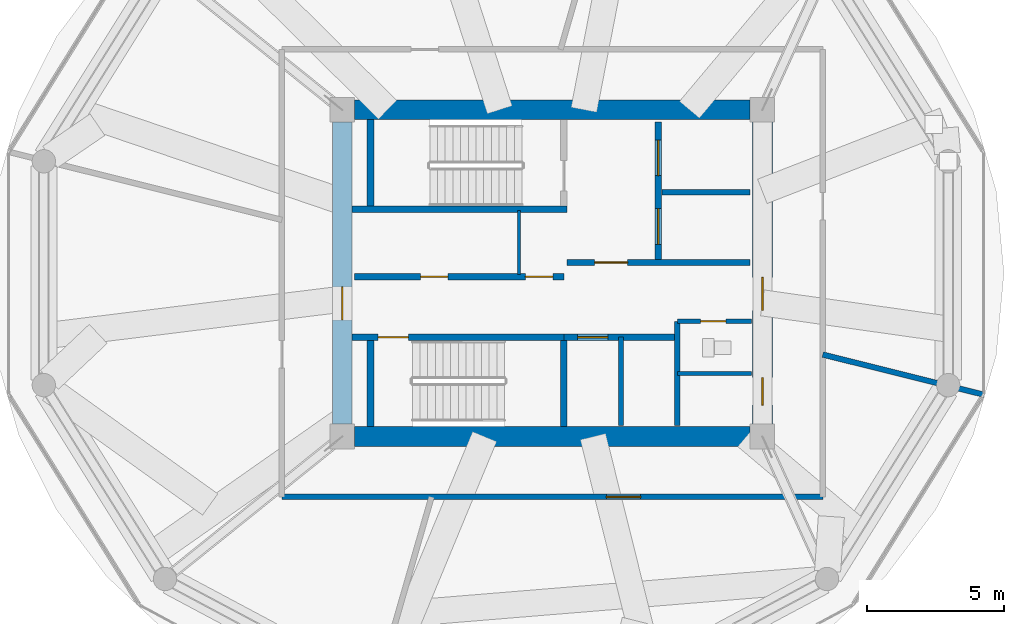
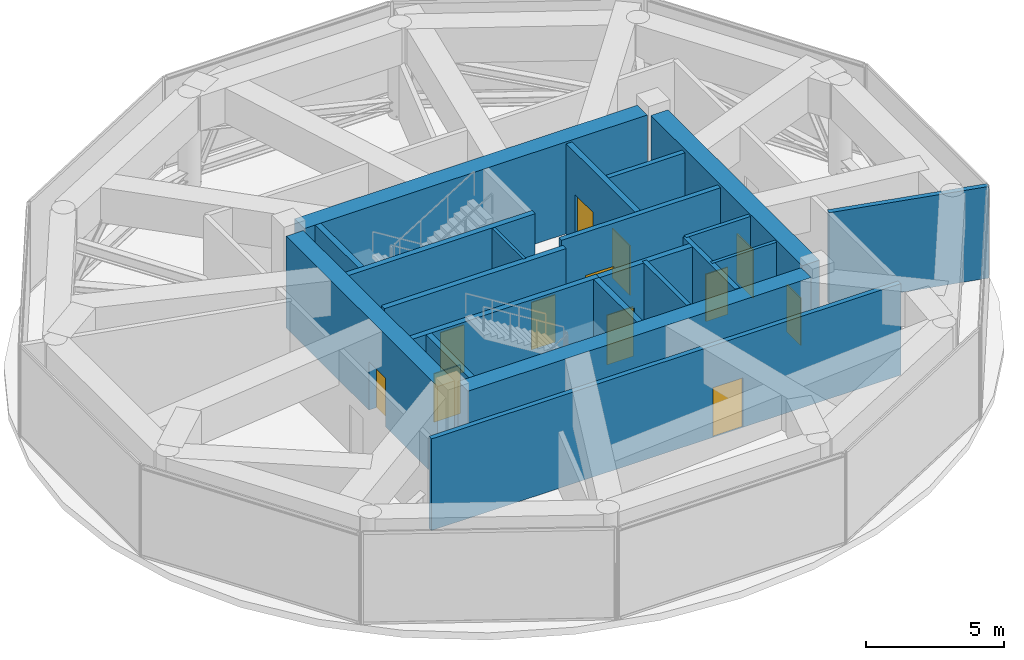
# One storey, part 18 of 23: 21 walls, 12 doors, 12 openings.
"""IFC4 building model written with IfcOpenShell, lengths in metres."""

from ifc_helpers import new_model, si_unit, direction, frame, frame_2d, origin, place, context, subcontext, project, spatial, rectangle, extrude, source, transform, mapped, material, layer, layer_set, type_object, type_shapes, element, fill, save


model = new_model("IFC4")

# Units and contexts
model_context = context("Model", 3, precision=1e-05, world=origin(), true_north=direction((0.0, 1.0)))
body_context = subcontext(model_context, "Body", "Model", "MODEL_VIEW")
ifc_project = project(units=[si_unit("LENGTHUNIT", "METRE"), si_unit("AREAUNIT", "SQUARE_METRE"), si_unit("VOLUMEUNIT", "CUBIC_METRE"), si_unit("PLANEANGLEUNIT", "RADIAN"), si_unit("MASSUNIT", "GRAM", prefix="KILO")], contexts=[model_context])

# Site, building, storey
site_placement = place(None, origin())
site = spatial("IfcSite", under=ifc_project, at=site_placement, CompositionType="ELEMENT")
building_placement = place(site_placement, origin())
building = spatial("IfcBuilding", under=site, at=building_placement, Name="Norrkilde Senior Care Towers", CompositionType="ELEMENT")
storey_placement = place(building_placement, frame((0.0, 0.0, 129.800048828125)))
storey = spatial("IfcBuildingStorey", under=building, at=storey_placement, Name="L40", CompositionType="ELEMENT", Elevation=129.800048828125)

# Walls
ifc_material_1 = material(Name="Concrete C60/75", Category="concrete")
ifc_layer_1 = layer(ifc_material_1, 0.719970703125)
ifc_layer_set_1 = layer_set([ifc_layer_1], Name="Concrete C60/75")
wall_type_1 = type_object("IfcWallType", Name="Core Shear Wall Z2 720", PredefinedType="SHEAR", material=ifc_layer_set_1)
shared_shape_1 = source(origin(), body_context, "Body", "SweptSolid", [
    extrude(rectangle(XDim=14.39990234375, YDim=0.719970703125, at=frame_2d((7.199951171875, 0.0))), origin(), (0.0, 0.0, 1.0), 4.079833984375),
])
for number, where, z_axis, x_axis, name in (
    (1, (20.800048828125, 5.949951171875, 0.0), (0.0, 0.0, 1.0), (1.0, 0.0, 0.0), "L40 Core E North Shear Wall"),
    (2, (35.199951171875, -5.949951171875, 0.0), (0.0, 0.0, 1.0), (-1.0, 0.0, 0.0), "L40 Core E South Shear Wall"),
):
    element("IfcWall", number, at=place(storey_placement, frame(where, z_axis=z_axis, x_axis=x_axis)), inside=storey, type_object=wall_type_1, Name=name, PredefinedType="SHEAR", context=body_context, shape_type="MappedRepresentation", body=[
        mapped(shared_shape_1, transform((0.0, 0.0, 0.0), x_axis=(1.0, 0.0, 0.0), y_axis=(0.0, 1.0, 0.0), z_axis=(0.0, 0.0, 1.0), scale=1.0)),
    ])

# Wall, opening, door
shared_shape_2 = source(origin(), body_context, "Body", "SweptSolid", [
    extrude(rectangle(XDim=11.0, YDim=0.719970703125, at=frame_2d((5.5, 0.0))), origin(), (0.0, 0.0, 1.0), 4.079833984375),
])
type_shapes(wall_type_1, [shared_shape_1, shared_shape_2])
wall_1_placement = place(storey_placement, frame((20.35009765625, -5.5, 0.0), z_axis=(0.0, 0.0, 1.0), x_axis=(0.0, 1.0, 0.0)))
wall_1 = element("IfcWall", 3, at=wall_1_placement, inside=storey, type_object=wall_type_1, Name="L40 Core E West Shear Wall", PredefinedType="SHEAR", context=body_context, shape_type="MappedRepresentation", body=[
    mapped(shared_shape_2, transform((0.0, 0.0, 0.0), x_axis=(1.0, 0.0, 0.0), y_axis=(0.0, 1.0, 0.0), z_axis=(0.0, 0.0, 1.0), scale=1.0)),
])
opening_1_placement = place(wall_1_placement, frame((3.800048828125, 0.0, 0.0)))
opening_1 = element("IfcOpeningElement", 4, at=opening_1_placement, cuts=wall_1, Name="Opening D-04", PredefinedType="OPENING", context=body_context, shape_type="SweptSolid", body=[
    extrude(rectangle(XDim=1.199951171875, YDim=2.14990234375, at=frame_2d((0.60009765625, 1.074951171875))), frame((0.0, 0.369873046875, 0.0), z_axis=(0.0, -1.0, 0.0), x_axis=(1.0, 0.0, 0.0)), (0.0, 0.0, 1.0), 0.739990234375),
])
ifc_material_2 = material(Name="Galvanised Painted Steel", Category="steel")
door_type_1 = type_object("IfcDoorType", Name="Firefighting Lobby Fire Door 1200x2150", OperationType="NOTDEFINED", PredefinedType="DOOR", material=ifc_material_2)
shared_shape_3 = source(origin(), body_context, "Body", "SweptSolid", [
    extrude(rectangle(XDim=1.199951171875, YDim=2.14990234375, at=frame_2d((0.60009765625, 1.074951171875))), frame((0.0, 0.02490234375, 0.0), z_axis=(0.0, -1.0, 0.0), x_axis=(1.0, 0.0, 0.0)), (0.0, 0.0, 1.0), 0.050048828125),
])
type_shapes(door_type_1, [shared_shape_3])
door_1_placement = place(opening_1_placement, frame((1.199951171875, 0.0, 0.0), z_axis=(0.0, 0.0, 1.0), x_axis=(-1.0, 0.0, 0.0)))
door_1 = element("IfcDoor", 5, at=door_1_placement, inside=storey, type_object=door_type_1, Name="L40 Core E West Portal Door", OperationType="SINGLE_SWING_LEFT", OverallHeight=2.14990234375, OverallWidth=1.199951171875, PredefinedType="DOOR", context=body_context, shape_type="MappedRepresentation", body=[
    mapped(shared_shape_3, transform((0.0, 0.0, 0.0), x_axis=(1.0, 0.0, 0.0), y_axis=(0.0, 1.0, 0.0), z_axis=(0.0, 0.0, 1.0), scale=1.0)),
])
fill(opening_1, door_1)

# Wall, openings, doors
wall_2_placement = place(storey_placement, frame((35.64990234375, 5.5, 0.0), z_axis=(0.0, 0.0, 1.0), x_axis=(0.0, -1.0, 0.0)))
wall_2 = element("IfcWall", 6, at=wall_2_placement, inside=storey, type_object=wall_type_1, Name="L40 Core E East Shear Wall", PredefinedType="SHEAR", context=body_context, shape_type="MappedRepresentation", body=[
    mapped(shared_shape_2, transform((0.0, 0.0, 0.0), x_axis=(1.0, 0.0, 0.0), y_axis=(0.0, 1.0, 0.0), z_axis=(0.0, 0.0, 1.0), scale=1.0)),
])
opening_2_placement = place(wall_2_placement, frame((5.64990234375, 0.0, 0.0)))
opening_2 = element("IfcOpeningElement", 7, at=opening_2_placement, cuts=wall_2, Name="Opening D-04", PredefinedType="OPENING", context=body_context, shape_type="SweptSolid", body=[
    extrude(rectangle(XDim=1.199951171875, YDim=2.14990234375, at=frame_2d((0.60009765625, 1.074951171875))), frame((0.0, 0.369873046875, 0.0), z_axis=(0.0, -1.0, 0.0), x_axis=(1.0, 0.0, 0.0)), (0.0, 0.0, 1.0), 0.739990234375),
])
opening_3_placement = place(wall_2_placement, frame((9.300048828125, 0.0, 0.0)))
opening_3 = element("IfcOpeningElement", 8, at=opening_3_placement, cuts=wall_2, Name="Opening D-10", PredefinedType="OPENING", context=body_context, shape_type="SweptSolid", body=[
    extrude(rectangle(XDim=1.0, YDim=2.10009765625, at=frame_2d((0.5, 1.050048828125))), frame((0.0, 0.369873046875, 0.0), z_axis=(0.0, -1.0, 0.0), x_axis=(1.0, 0.0, 0.0)), (0.0, 0.0, 1.0), 0.739990234375),
])
door_2_placement = place(opening_2_placement, frame((1.199951171875, 0.0, 0.0), z_axis=(0.0, 0.0, 1.0), x_axis=(-1.0, 0.0, 0.0)))
door_2 = element("IfcDoor", 9, at=door_2_placement, inside=storey, type_object=door_type_1, Name="L40 Core E East Portal Door", OperationType="SINGLE_SWING_RIGHT", OverallHeight=2.14990234375, OverallWidth=1.199951171875, PredefinedType="DOOR", context=body_context, shape_type="MappedRepresentation", body=[
    mapped(shared_shape_3, transform((0.0, 0.0, 0.0), x_axis=(1.0, 0.0, 0.0), y_axis=(0.0, 1.0, 0.0), z_axis=(0.0, 0.0, 1.0), scale=1.0)),
])
fill(opening_2, door_2)
door_type_2 = type_object("IfcDoorType", Name="Plant and Riser Rated Door 1000x2100", OperationType="NOTDEFINED", PredefinedType="DOOR", material=ifc_material_2)
shared_shape_4 = source(origin(), body_context, "Body", "SweptSolid", [
    extrude(rectangle(XDim=1.0, YDim=2.10009765625, at=frame_2d((0.5, 1.050048828125))), frame((0.0, 0.02490234375, 0.0), z_axis=(0.0, -1.0, 0.0), x_axis=(1.0, 0.0, 0.0)), (0.0, 0.0, 1.0), 0.050048828125),
])
type_shapes(door_type_2, [shared_shape_4])
door_3_placement = place(opening_3_placement, frame((1.0, 0.0, 0.0), z_axis=(0.0, 0.0, 1.0), x_axis=(-1.0, 0.0, 0.0)))
door_3 = element("IfcDoor", 10, at=door_3_placement, inside=storey, type_object=door_type_2, Name="L40 Ventilation Riser E Door", OperationType="SINGLE_SWING_RIGHT", OverallHeight=2.10009765625, OverallWidth=1.0, PredefinedType="DOOR", context=body_context, shape_type="MappedRepresentation", body=[
    mapped(shared_shape_4, transform((0.0, 0.0, 0.0), x_axis=(1.0, 0.0, 0.0), y_axis=(0.0, 1.0, 0.0), z_axis=(0.0, 0.0, 1.0), scale=1.0)),
])
fill(opening_3, door_3)

ifc_material_3 = material(Name="Concrete C45/55", Category="concrete")
ifc_layer_2 = layer(ifc_material_3, 0.239990234375)
ifc_layer_set_2 = layer_set([ifc_layer_2], Name="Concrete C45/55")
wall_type_2 = type_object("IfcWallType", Name="Lift and Plant Rated Enclosure Partition 240", PredefinedType="PARTITIONING", material=ifc_layer_set_2)
shared_shape_5 = source(origin(), body_context, "Body", "SweptSolid", [
    extrude(rectangle(XDim=5.0, YDim=0.239990234375, at=frame_2d((2.5, 0.0))), origin(), (0.0, 0.0, 1.0), 4.06494140625),
])
wall_3_placement = place(storey_placement, frame((31.860107421875, 0.5, 0.0), z_axis=(0.0, 0.0, 1.0), x_axis=(0.0, 1.0, 0.0)))
wall_3 = element("IfcWall", 11, at=wall_3_placement, inside=storey, type_object=wall_type_2, Name="WL-INT-L40-E-FFLE", PredefinedType="PARTITIONING", context=body_context, shape_type="MappedRepresentation", body=[
    mapped(shared_shape_5, transform((0.0, 0.0, 0.0), x_axis=(1.0, 0.0, 0.0), y_axis=(0.0, 1.0, 0.0), z_axis=(0.0, 0.0, 1.0), scale=1.0)),
])
opening_4_placement = place(wall_3_placement, frame((3.050048828125, 0.0, 0.0)))
opening_4 = element("IfcOpeningElement", 12, at=opening_4_placement, cuts=wall_3, Name="Opening LD-02", PredefinedType="OPENING", context=body_context, shape_type="SweptSolid", body=[
    extrude(rectangle(XDim=1.300048828125, YDim=2.199951171875, at=frame_2d((0.64990234375, 1.10009765625))), frame((0.0, 0.1298828125, 0.0), z_axis=(0.0, -1.0, 0.0), x_axis=(1.0, 0.0, 0.0)), (0.0, 0.0, 1.0), 0.260009765625),
])
opening_5_placement = place(wall_3_placement, frame((0.550048828125, 0.0, 0.0)))
opening_5 = element("IfcOpeningElement", 13, at=opening_5_placement, cuts=wall_3, Name="Opening LD-02", PredefinedType="OPENING", context=body_context, shape_type="SweptSolid", body=[
    extrude(rectangle(XDim=1.300048828125, YDim=2.199951171875, at=frame_2d((0.64990234375, 1.10009765625))), frame((0.0, 0.1298828125, 0.0), z_axis=(0.0, -1.0, 0.0), x_axis=(1.0, 0.0, 0.0)), (0.0, 0.0, 1.0), 0.260009765625),
])
ifc_material_4 = material(Name="Stainless Steel", Category="steel")
door_type_3 = type_object("IfcDoorType", Name="Stretcher and FFL Landing Sliding Door 1300x2200", OperationType="NOTDEFINED", PredefinedType="DOOR", material=ifc_material_4)
shared_shape_6 = source(origin(), body_context, "Body", "SweptSolid", [
    extrude(rectangle(XDim=1.300048828125, YDim=2.199951171875, at=frame_2d((0.64990234375, 1.10009765625))), frame((0.0, 0.02490234375, 0.0), z_axis=(0.0, -1.0, 0.0), x_axis=(1.0, 0.0, 0.0)), (0.0, 0.0, 1.0), 0.050048828125),
])
type_shapes(door_type_3, [shared_shape_6])
door_4_placement = place(opening_4_placement, origin())
door_4 = element("IfcDoor", 14, at=door_4_placement, inside=storey, type_object=door_type_3, Name="L40 Firefighting Lift E1 Landing Door", OperationType="SLIDING_TO_LEFT", OverallHeight=2.199951171875, OverallWidth=1.300048828125, PredefinedType="DOOR", context=body_context, shape_type="MappedRepresentation", body=[
    mapped(shared_shape_6, transform((0.0, 0.0, 0.0), x_axis=(1.0, 0.0, 0.0), y_axis=(0.0, 1.0, 0.0), z_axis=(0.0, 0.0, 1.0), scale=1.0)),
])
fill(opening_4, door_4)
door_5_placement = place(opening_5_placement, origin())
door_5 = element("IfcDoor", 15, at=door_5_placement, inside=storey, type_object=door_type_3, Name="L40 Stretcher Lift E1 Landing Door", OperationType="SLIDING_TO_RIGHT", OverallHeight=2.199951171875, OverallWidth=1.300048828125, PredefinedType="DOOR", context=body_context, shape_type="MappedRepresentation", body=[
    mapped(shared_shape_6, transform((0.0, 0.0, 0.0), x_axis=(1.0, 0.0, 0.0), y_axis=(0.0, 1.0, 0.0), z_axis=(0.0, 0.0, 1.0), scale=1.0)),
])
fill(opening_5, door_5)

# Wall
ifc_layer_3 = layer(ifc_material_3, 0.199951171875)
ifc_layer_set_3 = layer_set([ifc_layer_3], Name="Concrete C45/55")
wall_type_3 = type_object("IfcWallType", Name="Shaft Division and Plant Partition 200", PredefinedType="PARTITIONING", material=ifc_layer_set_3)
shared_shape_7 = source(origin(), body_context, "Body", "SweptSolid", [
    extrude(rectangle(XDim=3.199951171875, YDim=0.199951171875, at=frame_2d((1.60009765625, 0.0))), origin(), (0.0, 0.0, 1.0), 4.06494140625),
])
wall_4_placement = place(storey_placement, frame((32.0, 2.949951171875, 0.0), z_axis=(0.0, 0.0, 1.0), x_axis=(1.0, 0.0, 0.0)))
element("IfcWall", 16, at=wall_4_placement, inside=storey, type_object=wall_type_3, Name="WL-INT-L40-E-FFLDIV", PredefinedType="PARTITIONING", context=body_context, shape_type="MappedRepresentation", body=[
    mapped(shared_shape_7, transform((0.0, 0.0, 0.0), x_axis=(1.0, 0.0, 0.0), y_axis=(0.0, 1.0, 0.0), z_axis=(0.0, 0.0, 1.0), scale=1.0)),
])

# Wall, opening, door
ifc_layer_4 = layer(ifc_material_3, 0.2099609375)
ifc_layer_set_4 = layer_set([ifc_layer_4], Name="Concrete C45/55")
wall_type_4 = type_object("IfcWallType", Name="Firefighting Lobby Wall 210", PredefinedType="PARTITIONING", material=ifc_layer_set_4)
shared_shape_8 = source(origin(), body_context, "Body", "SweptSolid", [
    extrude(rectangle(XDim=6.659912109375, YDim=0.2099609375, at=frame_2d((3.330078125, 0.0))), origin(), (0.0, 0.0, 1.0), 4.06494140625),
])
type_shapes(wall_type_4, [shared_shape_8])
wall_5_placement = place(storey_placement, frame((28.5400390625, 0.389892578125, 0.0), z_axis=(0.0, 0.0, 1.0), x_axis=(1.0, 0.0, 0.0)))
wall_5 = element("IfcWall", 17, at=wall_5_placement, inside=storey, type_object=wall_type_4, Name="WL-INT-L40-E-FFLS", PredefinedType="PARTITIONING", context=body_context, shape_type="MappedRepresentation", body=[
    mapped(shared_shape_8, transform((0.0, 0.0, 0.0), x_axis=(1.0, 0.0, 0.0), y_axis=(0.0, 1.0, 0.0), z_axis=(0.0, 0.0, 1.0), scale=1.0)),
])
opening_6_placement = place(wall_5_placement, frame((1.0, 0.0, 0.0)))
opening_6 = element("IfcOpeningElement", 18, at=opening_6_placement, cuts=wall_5, Name="Opening D-04", PredefinedType="OPENING", context=body_context, shape_type="SweptSolid", body=[
    extrude(rectangle(XDim=1.199951171875, YDim=2.14990234375, at=frame_2d((0.60009765625, 1.074951171875))), frame((0.0, 0.114990234375, 0.0), z_axis=(0.0, -1.0, 0.0), x_axis=(1.0, 0.0, 0.0)), (0.0, 0.0, 1.0), 0.22998046875),
])
door_6_placement = place(opening_6_placement, frame((1.199951171875, 0.0, 0.0), z_axis=(0.0, 0.0, 1.0), x_axis=(-1.0, 0.0, 0.0)))
door_6 = element("IfcDoor", 19, at=door_6_placement, inside=storey, type_object=door_type_1, Name="L40 Firefighting Lobby E Door", OperationType="SINGLE_SWING_LEFT", OverallHeight=2.14990234375, OverallWidth=1.199951171875, PredefinedType="DOOR", context=body_context, shape_type="MappedRepresentation", body=[
    mapped(shared_shape_3, transform((0.0, 0.0, 0.0), x_axis=(1.0, 0.0, 0.0), y_axis=(0.0, 1.0, 0.0), z_axis=(0.0, 0.0, 1.0), scale=1.0)),
])
fill(opening_6, door_6)

# Wall, openings, doors
shared_shape_9 = source(origin(), body_context, "Body", "SweptSolid", [
    extrude(rectangle(XDim=7.619873046875, YDim=0.239990234375, at=frame_2d((3.81005859375, 0.0))), origin(), (0.0, 0.0, 1.0), 4.06494140625),
])
wall_6_placement = place(storey_placement, frame((20.800048828125, -0.1298828125, 0.0), z_axis=(0.0, 0.0, 1.0), x_axis=(1.0, 0.0, 0.0)))
wall_6 = element("IfcWall", 20, at=wall_6_placement, inside=storey, type_object=wall_type_2, Name="WL-INT-L40-E-PKAS", PredefinedType="PARTITIONING", context=body_context, shape_type="MappedRepresentation", body=[
    mapped(shared_shape_9, transform((0.0, 0.0, 0.0), x_axis=(1.0, 0.0, 0.0), y_axis=(0.0, 1.0, 0.0), z_axis=(0.0, 0.0, 1.0), scale=1.0)),
])
opening_7_placement = place(wall_6_placement, frame((6.219970703125, 0.0, 0.0)))
opening_7 = element("IfcOpeningElement", 21, at=opening_7_placement, cuts=wall_6, Name="Opening D-10", PredefinedType="OPENING", context=body_context, shape_type="SweptSolid", body=[
    extrude(rectangle(XDim=1.0, YDim=2.10009765625, at=frame_2d((0.5, 1.050048828125))), frame((0.0, 0.1298828125, 0.0), z_axis=(0.0, -1.0, 0.0), x_axis=(1.0, 0.0, 0.0)), (0.0, 0.0, 1.0), 0.260009765625),
])
opening_8_placement = place(wall_6_placement, frame((2.39990234375, 0.0, 0.0)))
opening_8 = element("IfcOpeningElement", 22, at=opening_8_placement, cuts=wall_6, Name="Opening D-10", PredefinedType="OPENING", context=body_context, shape_type="SweptSolid", body=[
    extrude(rectangle(XDim=1.0, YDim=2.10009765625, at=frame_2d((0.5, 1.050048828125))), frame((0.0, 0.1298828125, 0.0), z_axis=(0.0, -1.0, 0.0), x_axis=(1.0, 0.0, 0.0)), (0.0, 0.0, 1.0), 0.260009765625),
])
door_7_placement = place(opening_7_placement, frame((1.0, 0.0, 0.0), z_axis=(0.0, 0.0, 1.0), x_axis=(-1.0, 0.0, 0.0)))
door_7 = element("IfcDoor", 23, at=door_7_placement, inside=storey, type_object=door_type_2, Name="L40 Electrical Riser E Door", OperationType="SINGLE_SWING_LEFT", OverallHeight=2.10009765625, OverallWidth=1.0, PredefinedType="DOOR", context=body_context, shape_type="MappedRepresentation", body=[
    mapped(shared_shape_4, transform((0.0, 0.0, 0.0), x_axis=(1.0, 0.0, 0.0), y_axis=(0.0, 1.0, 0.0), z_axis=(0.0, 0.0, 1.0), scale=1.0)),
])
fill(opening_7, door_7)
door_8_placement = place(opening_8_placement, frame((1.0, 0.0, 0.0), z_axis=(0.0, 0.0, 1.0), x_axis=(-1.0, 0.0, 0.0)))
door_8 = element("IfcDoor", 24, at=door_8_placement, inside=storey, type_object=door_type_2, Name="L40 Clean Supply Store E Door", OperationType="SINGLE_SWING_LEFT", OverallHeight=2.10009765625, OverallWidth=1.0, PredefinedType="DOOR", context=body_context, shape_type="MappedRepresentation", body=[
    mapped(shared_shape_4, transform((0.0, 0.0, 0.0), x_axis=(1.0, 0.0, 0.0), y_axis=(0.0, 1.0, 0.0), z_axis=(0.0, 0.0, 1.0), scale=1.0)),
])
fill(opening_8, door_8)

# Walls
ifc_material_5 = material(Name="Gypsum Acoustic Board")
ifc_layer_5 = layer(ifc_material_5, 0.114990234375)
ifc_layer_set_5 = layer_set([ifc_layer_5], Name="Gypsum Acoustic Board")
wall_type_5 = type_object("IfcWallType", Name="Internal Room Partition 115", PredefinedType="PARTITIONING", material=ifc_layer_set_5)
shared_shape_10 = source(origin(), body_context, "Body", "SweptSolid", [
    extrude(rectangle(XDim=2.330078125, YDim=0.114990234375, at=frame_2d((1.1650390625, 0.0))), origin(), (0.0, 0.0, 1.0), 4.06494140625),
])
type_shapes(wall_type_5, [shared_shape_10])
wall_7_placement = place(storey_placement, frame((26.7900390625, -0.050048828125, 0.0), z_axis=(0.0, 0.0, 1.0), x_axis=(0.0, 1.0, 0.0)))
element("IfcWall", 25, at=wall_7_placement, inside=storey, type_object=wall_type_5, Name="WL-INT-L40-E-RISW", PredefinedType="PARTITIONING", context=body_context, shape_type="MappedRepresentation", body=[
    mapped(shared_shape_10, transform((0.0, 0.0, 0.0), x_axis=(1.0, 0.0, 0.0), y_axis=(0.0, 1.0, 0.0), z_axis=(0.0, 0.0, 1.0), scale=1.0)),
])
shared_shape_11 = source(origin(), body_context, "Body", "SweptSolid", [
    extrude(rectangle(XDim=3.800048828125, YDim=0.199951171875, at=frame_2d((1.89990234375, 0.0))), origin(), (0.0, 0.0, 1.0), 4.06494140625),
])
wall_8_placement = place(storey_placement, frame((32.550048828125, -5.550048828125, 0.0), z_axis=(0.0, 0.0, 1.0), x_axis=(0.0, 1.0, 0.0)))
element("IfcWall", 26, at=wall_8_placement, inside=storey, type_object=wall_type_3, Name="WL-INT-L40-E-PKBE", PredefinedType="PARTITIONING", context=body_context, shape_type="MappedRepresentation", body=[
    mapped(shared_shape_11, transform((0.0, 0.0, 0.0), x_axis=(1.0, 0.0, 0.0), y_axis=(0.0, 1.0, 0.0), z_axis=(0.0, 0.0, 1.0), scale=1.0)),
])

# Wall, opening, door
shared_shape_12 = source(origin(), body_context, "Body", "SweptSolid", [
    extrude(rectangle(XDim=4.130126953125, YDim=0.239990234375, at=frame_2d((2.06494140625, 0.0))), origin(), (0.0, 0.0, 1.0), 4.06494140625),
])
type_shapes(wall_type_2, [shared_shape_5, shared_shape_9, shared_shape_12])
wall_9_placement = place(storey_placement, frame((28.419921875, -2.330078125, 0.0), z_axis=(0.0, 0.0, 1.0), x_axis=(1.0, 0.0, 0.0)))
wall_9 = element("IfcWall", 27, at=wall_9_placement, inside=storey, type_object=wall_type_2, Name="WL-INT-L40-E-PKBN", PredefinedType="PARTITIONING", context=body_context, shape_type="MappedRepresentation", body=[
    mapped(shared_shape_12, transform((0.0, 0.0, 0.0), x_axis=(1.0, 0.0, 0.0), y_axis=(0.0, 1.0, 0.0), z_axis=(0.0, 0.0, 1.0), scale=1.0)),
])
opening_9_placement = place(wall_9_placement, frame((0.5, 0.0, 0.0)))
opening_9 = element("IfcOpeningElement", 28, at=opening_9_placement, cuts=wall_9, Name="Opening LD-01", PredefinedType="OPENING", context=body_context, shape_type="SweptSolid", body=[
    extrude(rectangle(XDim=1.10009765625, YDim=2.199951171875, at=frame_2d((0.550048828125, 1.10009765625))), frame((0.0, 0.1298828125, 0.0), z_axis=(0.0, -1.0, 0.0), x_axis=(1.0, 0.0, 0.0)), (0.0, 0.0, 1.0), 0.260009765625),
])
door_type_4 = type_object("IfcDoorType", Name="Lift Landing Sliding Door 1100x2200", OperationType="NOTDEFINED", PredefinedType="DOOR", material=ifc_material_4)
shared_shape_13 = source(origin(), body_context, "Body", "SweptSolid", [
    extrude(rectangle(XDim=1.10009765625, YDim=2.199951171875, at=frame_2d((0.550048828125, 1.10009765625))), frame((0.0, 0.02490234375, 0.0), z_axis=(0.0, -1.0, 0.0), x_axis=(1.0, 0.0, 0.0)), (0.0, 0.0, 1.0), 0.050048828125),
])
type_shapes(door_type_4, [shared_shape_13])
door_9_placement = place(opening_9_placement, frame((1.10009765625, 0.0, 0.0), z_axis=(0.0, 0.0, 1.0), x_axis=(-1.0, 0.0, 0.0)))
door_9 = element("IfcDoor", 29, at=door_9_placement, inside=storey, type_object=door_type_4, Name="L40 Passenger Lift E3 Landing Door", OperationType="SLIDING_TO_LEFT", OverallHeight=2.199951171875, OverallWidth=1.10009765625, PredefinedType="DOOR", context=body_context, shape_type="MappedRepresentation", body=[
    mapped(shared_shape_13, transform((0.0, 0.0, 0.0), x_axis=(1.0, 0.0, 0.0), y_axis=(0.0, 1.0, 0.0), z_axis=(0.0, 0.0, 1.0), scale=1.0)),
])
fill(opening_9, door_9)

# Wall
ifc_layer_6 = layer(ifc_material_3, 0.179931640625)
ifc_layer_set_6 = layer_set([ifc_layer_6], Name="Concrete C45/55")
wall_type_6 = type_object("IfcWallType", Name="Hoistway Division Rated Partition 180", PredefinedType="PARTITIONING", material=ifc_layer_set_6)
shared_shape_14 = source(origin(), body_context, "Body", "SweptSolid", [
    extrude(rectangle(XDim=3.219970703125, YDim=0.179931640625, at=frame_2d((1.60986328125, 0.0))), origin(), (0.0, 0.0, 1.0), 4.06494140625),
])
type_shapes(wall_type_6, [shared_shape_14])
wall_10_placement = place(storey_placement, frame((30.5, -5.550048828125, 0.0), z_axis=(0.0, 0.0, 1.0), x_axis=(0.0, 1.0, 0.0)))
element("IfcWall", 30, at=wall_10_placement, inside=storey, type_object=wall_type_6, Name="WL-INT-L40-E-PL34", PredefinedType="PARTITIONING", context=body_context, shape_type="MappedRepresentation", body=[
    mapped(shared_shape_14, transform((0.0, 0.0, 0.0), x_axis=(1.0, 0.0, 0.0), y_axis=(0.0, 1.0, 0.0), z_axis=(0.0, 0.0, 1.0), scale=1.0)),
])

# Wall, opening, door
ifc_layer_7 = layer(ifc_material_5, 0.1650390625)
ifc_layer_set_7 = layer_set([ifc_layer_7], Name="Gypsum Acoustic Board")
wall_type_7 = type_object("IfcWallType", Name="Corridor Rated Partition 165", PredefinedType="PARTITIONING", material=ifc_layer_set_7)
shared_shape_15 = source(origin(), body_context, "Body", "SweptSolid", [
    extrude(rectangle(XDim=2.699951171875, YDim=0.1650390625, at=frame_2d((1.35009765625, 0.0))), origin(), (0.0, 0.0, 1.0), 4.06494140625),
])
type_shapes(wall_type_7, [shared_shape_15])
wall_11_placement = place(storey_placement, frame((32.550048828125, -1.75, 0.0), z_axis=(0.0, 0.0, 1.0), x_axis=(1.0, 0.0, 0.0)))
wall_11 = element("IfcWall", 31, at=wall_11_placement, inside=storey, type_object=wall_type_7, Name="WL-INT-L40-E-CSN", PredefinedType="PARTITIONING", context=body_context, shape_type="MappedRepresentation", body=[
    mapped(shared_shape_15, transform((0.0, 0.0, 0.0), x_axis=(1.0, 0.0, 0.0), y_axis=(0.0, 1.0, 0.0), z_axis=(0.0, 0.0, 1.0), scale=1.0)),
])
opening_10_placement = place(wall_11_placement, frame((0.85009765625, 0.0, 0.0)))
opening_10 = element("IfcOpeningElement", 32, at=opening_10_placement, cuts=wall_11, Name="Opening D-12", PredefinedType="OPENING", context=body_context, shape_type="SweptSolid", body=[
    extrude(rectangle(XDim=0.925048828125, YDim=2.10009765625, at=frame_2d((0.46240234375, 1.050048828125))), frame((0.0, 0.092529296875, 0.0), z_axis=(0.0, -1.0, 0.0), x_axis=(1.0, 0.0, 0.0)), (0.0, 0.0, 1.0), 0.18505859375),
])
door_type_5 = type_object("IfcDoorType", Name="Core Wet Room Rated Door 925x2100", OperationType="NOTDEFINED", PredefinedType="DOOR", material=ifc_material_2)
shared_shape_16 = source(origin(), body_context, "Body", "SweptSolid", [
    extrude(rectangle(XDim=0.925048828125, YDim=2.10009765625, at=frame_2d((0.46240234375, 1.050048828125))), frame((0.0, 0.02490234375, 0.0), z_axis=(0.0, -1.0, 0.0), x_axis=(1.0, 0.0, 0.0)), (0.0, 0.0, 1.0), 0.050048828125),
])
type_shapes(door_type_5, [shared_shape_16])
door_10_placement = place(opening_10_placement, origin())
door_10 = element("IfcDoor", 33, at=door_10_placement, inside=storey, type_object=door_type_5, Name="L40 Staff WC E Door", OperationType="SINGLE_SWING_LEFT", OverallHeight=2.10009765625, OverallWidth=0.925048828125, PredefinedType="DOOR", context=body_context, shape_type="MappedRepresentation", body=[
    mapped(shared_shape_16, transform((0.0, 0.0, 0.0), x_axis=(1.0, 0.0, 0.0), y_axis=(0.0, 1.0, 0.0), z_axis=(0.0, 0.0, 1.0), scale=1.0)),
])
fill(opening_10, door_10)

# Wall
ifc_layer_8 = layer(ifc_material_5, 0.139892578125)
ifc_layer_set_8 = layer_set([ifc_layer_8], Name="Gypsum Acoustic Board")
wall_type_8 = type_object("IfcWallType", Name="En-suite Wet Room Wall 140", PredefinedType="PARTITIONING", material=ifc_layer_set_8)
shared_shape_17 = source(origin(), body_context, "Body", "SweptSolid", [
    extrude(rectangle(XDim=2.699951171875, YDim=0.139892578125, at=frame_2d((1.35009765625, 0.0))), origin(), (0.0, 0.0, 1.0), 4.06494140625),
])
type_shapes(wall_type_8, [shared_shape_17])
wall_12_placement = place(storey_placement, frame((32.550048828125, -3.64990234375, 0.0), z_axis=(0.0, 0.0, 1.0), x_axis=(1.0, 0.0, 0.0)))
element("IfcWall", 34, at=wall_12_placement, inside=storey, type_object=wall_type_8, Name="WL-INT-L40-E-CS2H", PredefinedType="PARTITIONING", context=body_context, shape_type="MappedRepresentation", body=[
    mapped(shared_shape_17, transform((0.0, 0.0, 0.0), x_axis=(1.0, 0.0, 0.0), y_axis=(0.0, 1.0, 0.0), z_axis=(0.0, 0.0, 1.0), scale=1.0)),
])

# Wall, opening, door
shared_shape_18 = source(origin(), body_context, "Body", "SweptSolid", [
    extrude(rectangle(XDim=19.7001953125, YDim=0.199951171875, at=frame_2d((9.85009765625, 0.0))), origin(), (0.0, 0.0, 1.0), 4.06494140625),
])
wall_13_placement = place(storey_placement, frame((37.85009765625, -8.14990234375, 0.0), z_axis=(0.0, 0.0, 1.0), x_axis=(-1.0, 0.0, 0.0)))
wall_13 = element("IfcWall", 35, at=wall_13_placement, inside=storey, type_object=wall_type_3, Name="WL-INT-L40-E-PCR-S", PredefinedType="PARTITIONING", context=body_context, shape_type="MappedRepresentation", body=[
    mapped(shared_shape_18, transform((0.0, 0.0, 0.0), x_axis=(1.0, 0.0, 0.0), y_axis=(0.0, 1.0, 0.0), z_axis=(0.0, 0.0, 1.0), scale=1.0)),
])
opening_11_placement = place(wall_13_placement, frame((6.6357421875, 0.0, 0.0)))
opening_11 = element("IfcOpeningElement", 36, at=opening_11_placement, cuts=wall_13, Name="Opening D-05", PredefinedType="OPENING", context=body_context, shape_type="SweptSolid", body=[
    extrude(rectangle(XDim=1.25, YDim=2.199951171875, at=frame_2d((0.625, 1.10009765625))), frame((0.0, 0.10986328125, 0.0), z_axis=(0.0, -1.0, 0.0), x_axis=(1.0, 0.0, 0.0)), (0.0, 0.0, 1.0), 0.219970703125),
])
ifc_material_6 = material(Name="Nordic Ash Timber", Category="wood")
door_type_6 = type_object("IfcDoorType", Name="Care Bedroom Bariatric Door 1250x2200", OperationType="NOTDEFINED", PredefinedType="DOOR", material=ifc_material_6)
shared_shape_19 = source(origin(), body_context, "Body", "SweptSolid", [
    extrude(rectangle(XDim=1.25, YDim=2.199951171875, at=frame_2d((0.625, 1.10009765625))), frame((0.0, 0.02490234375, 0.0), z_axis=(0.0, -1.0, 0.0), x_axis=(1.0, 0.0, 0.0)), (0.0, 0.0, 1.0), 0.050048828125),
])
type_shapes(door_type_6, [shared_shape_19])
door_11_placement = place(opening_11_placement, frame((1.25, 0.0, 0.0), z_axis=(0.0, 0.0, 1.0), x_axis=(-1.0, 0.0, 0.0)))
door_11 = element("IfcDoor", 37, at=door_11_placement, inside=storey, type_object=door_type_6, Name="L40 Protected Emergency Refuge Area E Door", OperationType="SINGLE_SWING_LEFT", OverallHeight=2.199951171875, OverallWidth=1.25, PredefinedType="DOOR", context=body_context, shape_type="MappedRepresentation", body=[
    mapped(shared_shape_19, transform((0.0, 0.0, 0.0), x_axis=(1.0, 0.0, 0.0), y_axis=(0.0, 1.0, 0.0), z_axis=(0.0, 0.0, 1.0), scale=1.0)),
])
fill(opening_11, door_11)

# Wall
ifc_layer_9 = layer(ifc_material_3, 0.239990234375)
ifc_layer_set_9 = layer_set([ifc_layer_9], Name="Concrete C45/55")
wall_type_9 = type_object("IfcWallType", Name="Shaft and Stair Enclosure Wall 240", PredefinedType="PARTITIONING", material=ifc_layer_set_9)
shared_shape_20 = source(origin(), body_context, "Body", "SweptSolid", [
    extrude(rectangle(XDim=7.830078125, YDim=0.239990234375, at=frame_2d((3.9150390625, 0.0))), origin(), (0.0, 0.0, 1.0), 4.079833984375),
])
wall_14_placement = place(storey_placement, frame((20.7099609375, 2.330078125, 0.0), z_axis=(0.0, 0.0, 1.0), x_axis=(1.0, 0.0, 0.0)))
element("IfcWall", 38, at=wall_14_placement, inside=storey, type_object=wall_type_9, Name="WL-INT-L40-E-ST1S", PredefinedType="PARTITIONING", context=body_context, shape_type="MappedRepresentation", body=[
    mapped(shared_shape_20, transform((0.0, 0.0, 0.0), x_axis=(1.0, 0.0, 0.0), y_axis=(0.0, 1.0, 0.0), z_axis=(0.0, 0.0, 1.0), scale=1.0)),
])

# Wall, opening, door
wall_15_placement = place(storey_placement, frame((20.7099609375, -2.330078125, 0.0), z_axis=(0.0, 0.0, 1.0), x_axis=(1.0, 0.0, 0.0)))
wall_15 = element("IfcWall", 39, at=wall_15_placement, inside=storey, type_object=wall_type_9, Name="WL-INT-L40-E-ST2N", PredefinedType="PARTITIONING", context=body_context, shape_type="MappedRepresentation", body=[
    mapped(shared_shape_20, transform((0.0, 0.0, 0.0), x_axis=(1.0, 0.0, 0.0), y_axis=(0.0, 1.0, 0.0), z_axis=(0.0, 0.0, 1.0), scale=1.0)),
])
opening_12_placement = place(wall_15_placement, frame((0.949951171875, 0.0, 0.0)))
opening_12 = element("IfcOpeningElement", 40, at=opening_12_placement, cuts=wall_15, Name="Opening D-03", PredefinedType="OPENING", context=body_context, shape_type="SweptSolid", body=[
    extrude(rectangle(XDim=1.10009765625, YDim=2.14990234375, at=frame_2d((0.550048828125, 1.074951171875))), frame((0.0, 0.1298828125, 0.0), z_axis=(0.0, -1.0, 0.0), x_axis=(1.0, 0.0, 0.0)), (0.0, 0.0, 1.0), 0.260009765625),
])
door_type_7 = type_object("IfcDoorType", Name="Stairwell Protected Fire Door 1100x2150", OperationType="NOTDEFINED", PredefinedType="DOOR", material=ifc_material_2)
shared_shape_21 = source(origin(), body_context, "Body", "SweptSolid", [
    extrude(rectangle(XDim=1.10009765625, YDim=2.14990234375, at=frame_2d((0.550048828125, 1.074951171875))), frame((0.0, 0.02490234375, 0.0), z_axis=(0.0, -1.0, 0.0), x_axis=(1.0, 0.0, 0.0)), (0.0, 0.0, 1.0), 0.050048828125),
])
type_shapes(door_type_7, [shared_shape_21])
door_12_placement = place(opening_12_placement, frame((1.10009765625, 0.0, 0.0), z_axis=(0.0, 0.0, 1.0), x_axis=(-1.0, 0.0, 0.0)))
door_12 = element("IfcDoor", 41, at=door_12_placement, inside=storey, type_object=door_type_7, Name="L40 Stair E2 Fire Door", OperationType="SINGLE_SWING_RIGHT", OverallHeight=2.14990234375, OverallWidth=1.10009765625, PredefinedType="DOOR", context=body_context, shape_type="MappedRepresentation", body=[
    mapped(shared_shape_21, transform((0.0, 0.0, 0.0), x_axis=(1.0, 0.0, 0.0), y_axis=(0.0, 1.0, 0.0), z_axis=(0.0, 0.0, 1.0), scale=1.0)),
])
fill(opening_12, door_12)

# Walls
shared_shape_22 = source(origin(), body_context, "Body", "SweptSolid", [
    extrude(rectangle(XDim=3.14013671875, YDim=0.239990234375, at=frame_2d((1.570068359375, 0.0))), origin(), (0.0, 0.0, 1.0), 4.079833984375),
])
type_shapes(wall_type_9, [shared_shape_20, shared_shape_22])
for number, where, z_axis, x_axis, name in (
    (42, (21.3798828125, 2.449951171875, 0.0), (0.0, 0.0, 1.0), (0.0, 1.0, 0.0), "WL-INT-L40-E-ST1W"),
    (43, (21.3798828125, -5.590087890625, 0.0), (0.0, 0.0, 1.0), (0.0, 1.0, 0.0), "WL-INT-L40-E-ST2W"),
    (44, (28.419921875, -5.590087890625, 0.0), (0.0, 0.0, 1.0), (0.0, 1.0, 0.0), "WL-INT-L40-E-ST2E"),
):
    element("IfcWall", number, at=place(storey_placement, frame(where, z_axis=z_axis, x_axis=x_axis)), inside=storey, type_object=wall_type_9, Name=name, PredefinedType="PARTITIONING", context=body_context, shape_type="MappedRepresentation", body=[
        mapped(shared_shape_22, transform((0.0, 0.0, 0.0), x_axis=(1.0, 0.0, 0.0), y_axis=(0.0, 1.0, 0.0), z_axis=(0.0, 0.0, 1.0), scale=1.0)),
    ])
shared_shape_23 = source(origin(), body_context, "Body", "SweptSolid", [
    extrude(rectangle(XDim=6.052490234375, YDim=0.199951171875, at=frame_2d((3.0263671875, 0.0))), origin(), (0.0, 0.0, 1.0), 4.06494140625),
])
type_shapes(wall_type_3, [shared_shape_7, shared_shape_11, shared_shape_18, shared_shape_23])
wall_16_placement = place(storey_placement, frame((37.85009765625, -2.96337890625, 0.0), z_axis=(0.0, 0.0, 1.0), x_axis=(0.970369863069, -0.24162435483, 0.0)))
element("IfcWall", 45, at=wall_16_placement, inside=storey, type_object=wall_type_3, Name="WL-INT-L40-E-PRAD-1-0", PredefinedType="PARTITIONING", context=body_context, shape_type="MappedRepresentation", body=[
    mapped(shared_shape_23, transform((0.0, 0.0, 0.0), x_axis=(1.0, 0.0, 0.0), y_axis=(0.0, 1.0, 0.0), z_axis=(0.0, 0.0, 1.0), scale=1.0)),
])

save(model, "model.ifc")
